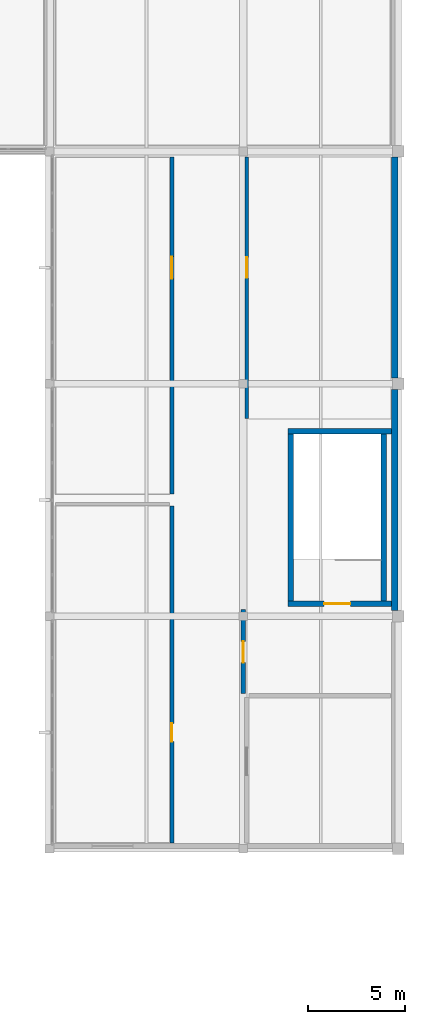
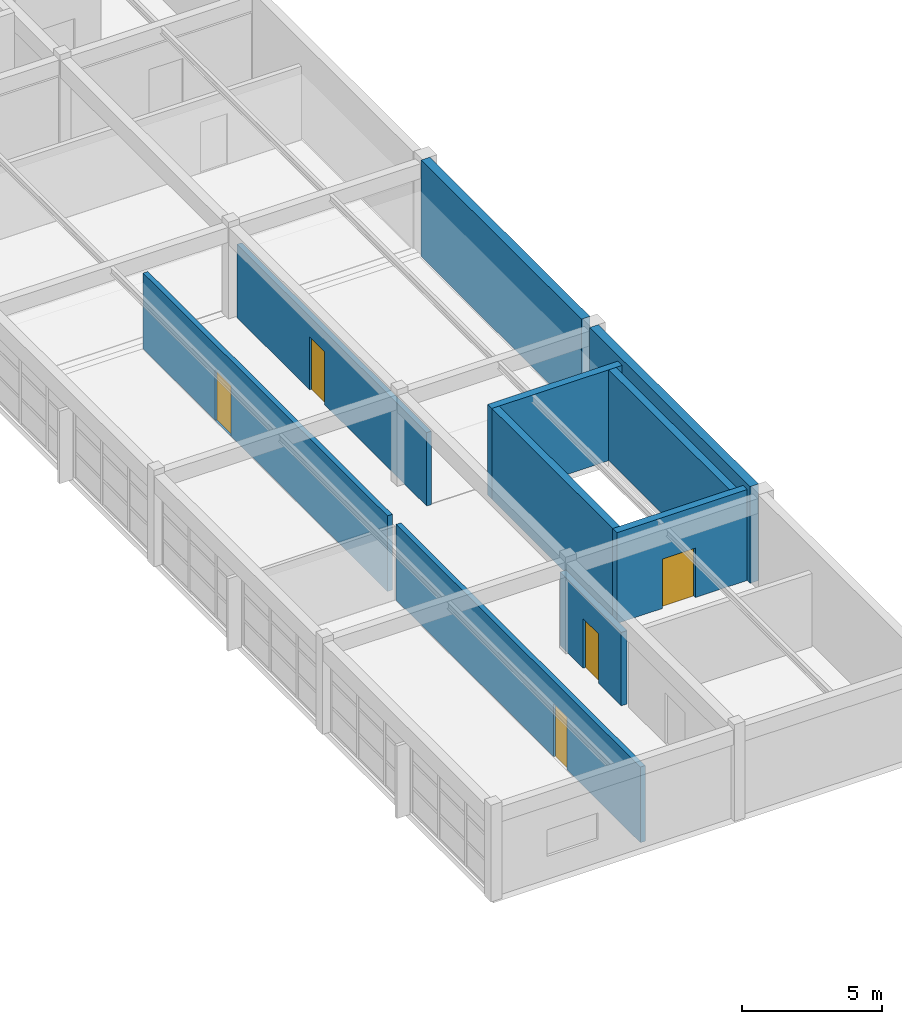
# One storey, part 14 of 21: 10 walls, 5 doors, 5 openings.
"""IFC4 building model written with IfcOpenShell, lengths in metres."""

from ifc_helpers import new_model, si_unit, direction, frame, frame_2d, origin, place, context, subcontext, project, spatial, rectangle, extrude, material, layer, layer_set, type_object, element, fill, save


model = new_model("IFC4")

# Units and contexts
model_context = context("Model", 3, precision=1e-05, world=origin(), true_north=direction((0.0, 1.0)))
body_context = subcontext(model_context, "Body", "Model", "MODEL_VIEW")
ifc_project = project(units=[si_unit("LENGTHUNIT", "METRE"), si_unit("AREAUNIT", "SQUARE_METRE"), si_unit("VOLUMEUNIT", "CUBIC_METRE"), si_unit("PLANEANGLEUNIT", "RADIAN"), si_unit("MASSUNIT", "GRAM", prefix="KILO")], contexts=[model_context])

# Site, building, storey
site_placement = place(None, origin())
site = spatial("IfcSite", under=ifc_project, at=site_placement, CompositionType="ELEMENT")
building_placement = place(site_placement, origin())
building = spatial("IfcBuilding", under=site, at=building_placement, Name="Kivolera Central Railway Station", CompositionType="ELEMENT")
storey_placement = place(building_placement, frame((0.0, 0.0, 22.800048828125)))
storey = spatial("IfcBuildingStorey", under=building, at=storey_placement, Name="L05", CompositionType="ELEMENT", Elevation=22.800048828125)

# Wall, opening, door
ifc_material_1 = material(Name="Swahili coral limestone", Category="masonry")
ifc_layer_1 = layer(ifc_material_1, 0.199951171875, Name="Swahili coral limestone")
ifc_layer_set_1 = layer_set([ifc_layer_1], Name="Swahili coral limestone")
wall_type_1 = type_object("IfcWallType", Name="WL-COR-200", PredefinedType="PARTITIONING", material=ifc_layer_set_1)
wall_1_placement = place(storey_placement, frame((184.320068359375, 96.300048828125, 0.0), z_axis=(0.0, 0.0, 1.0), x_axis=(0.0, 1.0, 0.0)))
wall_1 = element("IfcWall", 1, at=wall_1_placement, inside=storey, type_object=wall_type_1, Name="L05 Drivers' Quiet Rest Lounge Corridor Wall", PredefinedType="PARTITIONING", context=body_context, shape_type="SweptSolid", body=[
    extrude(rectangle(XDim=17.39990234375, YDim=0.199951171875, at=frame_2d((8.699951171875, 0.0))), origin(), (0.0, 0.0, 1.0), 3.287841796875),
])
opening_1_placement = place(wall_1_placement, frame((11.125, 0.0, 0.0)))
opening_1 = element("IfcOpeningElement", 2, at=opening_1_placement, cuts=wall_1, Name="Opening D-SG-12", PredefinedType="OPENING", context=body_context, shape_type="SweptSolid", body=[
    extrude(rectangle(XDim=1.14990234375, YDim=2.199951171875, at=frame_2d((0.574951171875, 1.10009765625))), frame((0.0, 0.10986328125, 0.0), z_axis=(0.0, -1.0, 0.0), x_axis=(1.0, 0.0, 0.0)), (0.0, 0.0, 1.0), 0.219970703125),
])
ifc_material_2 = material(Name="Hardwood mvule timber", Category="wood")
door_type_1 = type_object("IfcDoorType", Name="DR-D-SG-12", OperationType="NOTDEFINED", PredefinedType="DOOR", material=ifc_material_2)
door_1_placement = place(opening_1_placement, origin())
door_1 = element("IfcDoor", 3, at=door_1_placement, inside=storey, type_object=door_type_1, Name="L05 Drivers' Quiet Rest Lounge Door", OperationType="SINGLE_SWING_RIGHT", OverallHeight=2.199951171875, OverallWidth=1.14990234375, PredefinedType="DOOR", context=body_context, shape_type="SweptSolid", body=[
    extrude(rectangle(XDim=1.14990234375, YDim=2.199951171875, at=frame_2d((0.574951171875, 1.10009765625))), frame((0.0, 0.02490234375, 0.0), z_axis=(0.0, -1.0, 0.0), x_axis=(1.0, 0.0, 0.0)), (0.0, 0.0, 1.0), 0.050048828125),
])
fill(opening_1, door_1)

wall_2_placement = place(storey_placement, frame((184.320068359375, 78.300048828125, 0.0), z_axis=(0.0, 0.0, 1.0), x_axis=(0.0, 1.0, 0.0)))
wall_2 = element("IfcWall", 4, at=wall_2_placement, inside=storey, type_object=wall_type_1, Name="L05 Staff Wellness Studio Corridor Wall", PredefinedType="PARTITIONING", context=body_context, shape_type="SweptSolid", body=[
    extrude(rectangle(XDim=17.39990234375, YDim=0.199951171875, at=frame_2d((8.699951171875, 0.0))), origin(), (0.0, 0.0, 1.0), 3.287841796875),
])
opening_2_placement = place(wall_2_placement, frame((5.22509765625, 0.0, 0.0)))
opening_2 = element("IfcOpeningElement", 5, at=opening_2_placement, cuts=wall_2, Name="Opening D-SG-13", PredefinedType="OPENING", context=body_context, shape_type="SweptSolid", body=[
    extrude(rectangle(XDim=0.949951171875, YDim=2.300048828125, at=frame_2d((0.47509765625, 1.14990234375))), frame((0.0, 0.10986328125, 0.0), z_axis=(0.0, -1.0, 0.0), x_axis=(1.0, 0.0, 0.0)), (0.0, 0.0, 1.0), 0.219970703125),
])
door_type_2 = type_object("IfcDoorType", Name="DR-D-SG-13", OperationType="NOTDEFINED", PredefinedType="DOOR", material=ifc_material_2)
door_2_placement = place(opening_2_placement, origin())
door_2 = element("IfcDoor", 6, at=door_2_placement, inside=storey, type_object=door_type_2, Name="L05 Staff Wellness Studio Door", OperationType="SINGLE_SWING_LEFT", OverallHeight=2.300048828125, OverallWidth=0.949951171875, PredefinedType="DOOR", context=body_context, shape_type="SweptSolid", body=[
    extrude(rectangle(XDim=0.949951171875, YDim=2.300048828125, at=frame_2d((0.47509765625, 1.14990234375))), frame((0.0, 0.02490234375, 0.0), z_axis=(0.0, -1.0, 0.0), x_axis=(1.0, 0.0, 0.0)), (0.0, 0.0, 1.0), 0.050048828125),
])
fill(opening_2, door_2)

wall_3_placement = place(storey_placement, frame((188.179931640625, 100.199951171875, 0.0), z_axis=(0.0, 0.0, 1.0), x_axis=(0.0, 1.0, 0.0)))
wall_3 = element("IfcWall", 7, at=wall_3_placement, inside=storey, type_object=wall_type_1, Name="L05 Train Crew Locker and Changing Suite Corridor Wall", PredefinedType="PARTITIONING", context=body_context, shape_type="SweptSolid", body=[
    extrude(rectangle(XDim=13.5, YDim=0.199951171875, at=frame_2d((6.75, 0.0))), origin(), (0.0, 0.0, 1.0), 3.18798828125),
])
opening_3_placement = place(wall_3_placement, frame((7.27490234375, 0.0, 0.0)))
opening_3 = element("IfcOpeningElement", 8, at=opening_3_placement, cuts=wall_3, Name="Opening D-SG-14", PredefinedType="OPENING", context=body_context, shape_type="SweptSolid", body=[
    extrude(rectangle(XDim=1.050048828125, YDim=2.300048828125, at=frame_2d((0.52490234375, 1.14990234375))), frame((0.0, 0.10986328125, 0.0), z_axis=(0.0, -1.0, 0.0), x_axis=(1.0, 0.0, 0.0)), (0.0, 0.0, 1.0), 0.219970703125),
])
door_type_3 = type_object("IfcDoorType", Name="DR-D-SG-14", OperationType="NOTDEFINED", PredefinedType="DOOR", material=ifc_material_2)
door_3_placement = place(opening_3_placement, origin())
door_3 = element("IfcDoor", 9, at=door_3_placement, inside=storey, type_object=door_type_3, Name="L05 Train Crew Locker and Changing Suite Door", OperationType="SINGLE_SWING_RIGHT", OverallHeight=2.300048828125, OverallWidth=1.050048828125, PredefinedType="DOOR", context=body_context, shape_type="SweptSolid", body=[
    extrude(rectangle(XDim=1.050048828125, YDim=2.300048828125, at=frame_2d((0.52490234375, 1.14990234375))), frame((0.0, 0.02490234375, 0.0), z_axis=(0.0, -1.0, 0.0), x_axis=(1.0, 0.0, 0.0)), (0.0, 0.0, 1.0), 0.050048828125),
])
fill(opening_3, door_3)

# Walls
ifc_material_3 = material(Name="Concrete C40/50", Category="concrete")
ifc_layer_2 = layer(ifc_material_3, 0.300048828125, Name="Concrete C40/50")
ifc_layer_set_2 = layer_set([ifc_layer_2], Name="Concrete C40/50")
wall_type_2 = type_object("IfcWallType", Name="WL-CORE-300", PredefinedType="SHEAR", material=ifc_layer_set_2)
for number, where, z_axis, x_axis, name in (
    (10, (190.449951171875, 90.800048828125, 0.0), (0.0, 0.0, 1.0), (0.0, 1.0, 0.0), "L05 ST11 Core Right Shear Wall"),
    (11, (195.25, 99.39990234375, 0.0), (0.0, 0.0, 1.0), (0.0, -1.0, 0.0), "L05 ST11 Core Left Shear Wall"),
):
    element("IfcWall", number, at=place(storey_placement, frame(where, z_axis=z_axis, x_axis=x_axis)), inside=storey, type_object=wall_type_2, Name=name, PredefinedType="SHEAR", context=body_context, shape_type="SweptSolid", body=[
        extrude(rectangle(XDim=8.599853515625, YDim=0.300048828125, at=frame_2d((4.2998046875, 0.0))), origin(), (0.0, 0.0, 1.0), 3.949951171875),
    ])

# Wall, opening, door
wall_4_placement = place(storey_placement, frame((195.64990234375, 90.64990234375, 0.0), z_axis=(0.0, 0.0, 1.0), x_axis=(-1.0, 0.0, 0.0)))
wall_4 = element("IfcWall", 12, at=wall_4_placement, inside=storey, type_object=wall_type_2, Name="L05 ST11 Core Near Shear Wall", PredefinedType="SHEAR", context=body_context, shape_type="SweptSolid", body=[
    extrude(rectangle(XDim=5.349853515625, YDim=0.300048828125, at=frame_2d((2.6748046875, 0.0))), origin(), (0.0, 0.0, 1.0), 3.949951171875),
])
opening_4_placement = place(wall_4_placement, frame((2.125, 0.0, 0.0)))
opening_4 = element("IfcOpeningElement", 13, at=opening_4_placement, cuts=wall_4, Name="Opening D-STAIR-1350", PredefinedType="OPENING", context=body_context, shape_type="SweptSolid", body=[
    extrude(rectangle(XDim=1.35009765625, YDim=2.14990234375, at=frame_2d((0.675048828125, 1.074951171875))), frame((0.0, 0.159912109375, 0.0), z_axis=(0.0, -1.0, 0.0), x_axis=(1.0, 0.0, 0.0)), (0.0, 0.0, 1.0), 0.320068359375),
])
door_type_4 = type_object("IfcDoorType", Name="DR-D-STAIR-1350", OperationType="NOTDEFINED", PredefinedType="DOOR", material=ifc_material_2)
door_4_placement = place(opening_4_placement, origin())
door_4 = element("IfcDoor", 14, at=door_4_placement, inside=storey, type_object=door_type_4, Name="L05 ST11 Concourse/Platform Stair Fire Door", OperationType="SINGLE_SWING_RIGHT", OverallHeight=2.14990234375, OverallWidth=1.35009765625, PredefinedType="DOOR", context=body_context, shape_type="SweptSolid", body=[
    extrude(rectangle(XDim=1.35009765625, YDim=2.14990234375, at=frame_2d((0.675048828125, 1.074951171875))), frame((0.0, 0.02490234375, 0.0), z_axis=(0.0, -1.0, 0.0), x_axis=(1.0, 0.0, 0.0)), (0.0, 0.0, 1.0), 0.050048828125),
])
fill(opening_4, door_4)

# Wall
wall_5_placement = place(storey_placement, frame((190.300048828125, 99.550048828125, 0.0), z_axis=(0.0, 0.0, 1.0), x_axis=(1.0, 0.0, 0.0)))
element("IfcWall", 15, at=wall_5_placement, inside=storey, type_object=wall_type_2, Name="L05 ST11 Core Far Shear Wall", PredefinedType="SHEAR", context=body_context, shape_type="SweptSolid", body=[
    extrude(rectangle(XDim=5.349853515625, YDim=0.300048828125, at=frame_2d((2.6748046875, 0.0))), origin(), (0.0, 0.0, 1.0), 3.949951171875),
])

# Wall, opening, door
ifc_layer_3 = layer(ifc_material_3, 0.25, Name="Concrete C40/50")
ifc_layer_set_3 = layer_set([ifc_layer_3], Name="Concrete C40/50")
wall_type_3 = type_object("IfcWallType", Name="WL-FFL-250", PredefinedType="PARTITIONING", material=ifc_layer_set_3)
wall_6_placement = place(storey_placement, frame((188.0, 86.0, 0.0), z_axis=(0.0, 0.0, 1.0), x_axis=(0.0, 1.0, 0.0)))
wall_6 = element("IfcWall", 16, at=wall_6_placement, inside=storey, type_object=wall_type_3, Name="L05 ST11 Lobby Wall", PredefinedType="PARTITIONING", context=body_context, shape_type="SweptSolid", body=[
    extrude(rectangle(XDim=4.35009765625, YDim=0.25, at=frame_2d((2.175048828125, 0.0))), origin(), (0.0, 0.0, 1.0), 3.18798828125),
])
opening_5_placement = place(wall_6_placement, frame((1.60009765625, 0.0, 0.0)))
opening_5 = element("IfcOpeningElement", 17, at=opening_5_placement, cuts=wall_6, Name="Opening D-FFL-1100", PredefinedType="OPENING", context=body_context, shape_type="SweptSolid", body=[
    extrude(rectangle(XDim=1.10009765625, YDim=2.14990234375, at=frame_2d((0.550048828125, 1.074951171875))), frame((0.0, 0.135009765625, 0.0), z_axis=(0.0, -1.0, 0.0), x_axis=(1.0, 0.0, 0.0)), (0.0, 0.0, 1.0), 0.27001953125),
])
door_type_5 = type_object("IfcDoorType", Name="DR-D-FFL-1100", OperationType="NOTDEFINED", PredefinedType="DOOR", material=ifc_material_2)
door_5_placement = place(opening_5_placement, origin())
door_5 = element("IfcDoor", 18, at=door_5_placement, inside=storey, type_object=door_type_5, Name="L05 ST11 Lobby Corridor Door", OperationType="SINGLE_SWING_LEFT", OverallHeight=2.14990234375, OverallWidth=1.10009765625, PredefinedType="DOOR", context=body_context, shape_type="SweptSolid", body=[
    extrude(rectangle(XDim=1.10009765625, YDim=2.14990234375, at=frame_2d((0.550048828125, 1.074951171875))), frame((0.0, 0.02490234375, 0.0), z_axis=(0.0, -1.0, 0.0), x_axis=(1.0, 0.0, 0.0)), (0.0, 0.0, 1.0), 0.050048828125),
])
fill(opening_5, door_5)

# Walls
ifc_layer_4 = layer(ifc_material_3, 0.35009765625, Name="Concrete C40/50")
ifc_layer_set_4 = layer_set([ifc_layer_4], Name="Concrete C40/50")
wall_type_4 = type_object("IfcWallType", Name="WL-PARTY-350", PredefinedType="SOLIDWALL", material=ifc_layer_set_4)
for number, where, z_axis, x_axis, name in (
    (19, (195.824951171875, 101.705078125, 0.0), (0.0, 0.0, 1.0), (0.0, -1.0, 0.0), "L05 East Infill EI 120 Party Wall 90-102"),
    (20, (195.824951171875, 113.705078125, 0.0), (0.0, 0.0, 1.0), (0.0, -1.0, 0.0), "L05 East Infill EI 120 Party Wall 102-114"),
):
    element("IfcWall", number, at=place(storey_placement, frame(where, z_axis=z_axis, x_axis=x_axis)), inside=storey, type_object=wall_type_4, Name=name, PredefinedType="SOLIDWALL", context=body_context, shape_type="SweptSolid", body=[
        extrude(rectangle(XDim=11.41015625, YDim=0.35009765625, at=frame_2d((5.705078125, 0.0))), origin(), (0.0, 0.0, 1.0), 4.199951171875),
    ])

save(model, "model.ifc")
